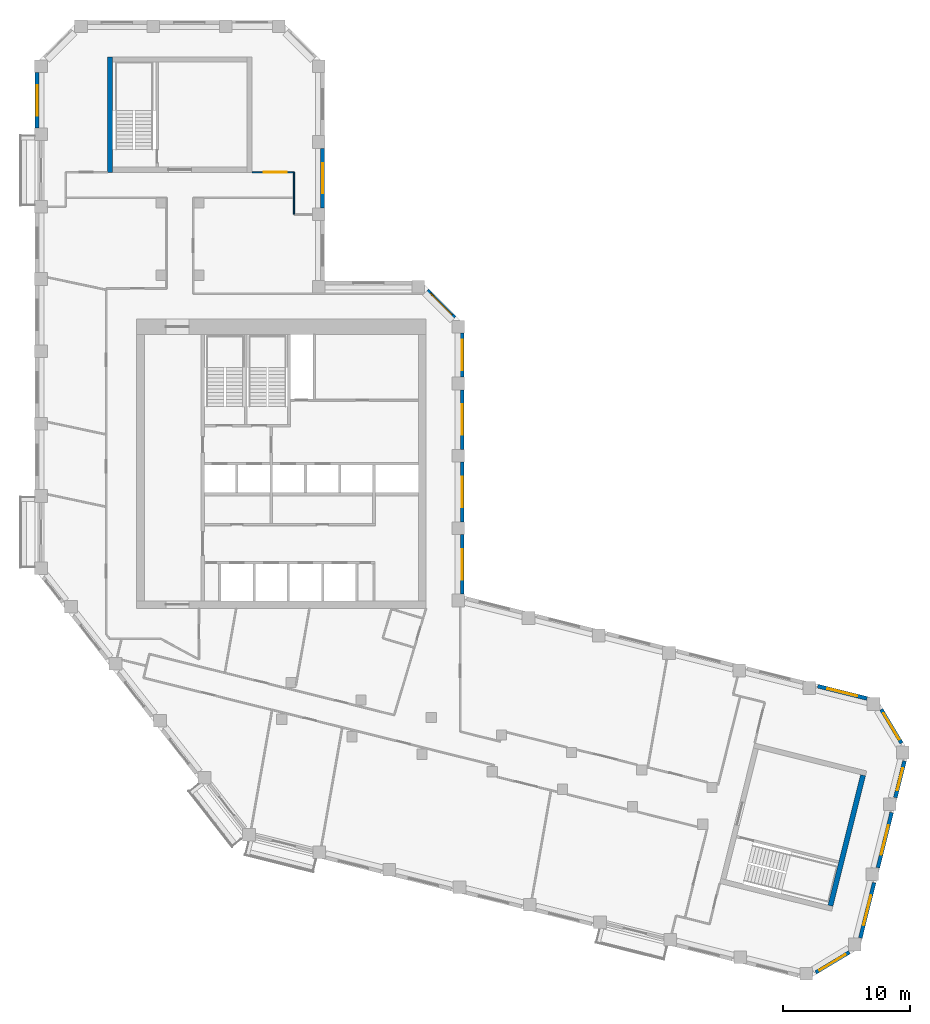
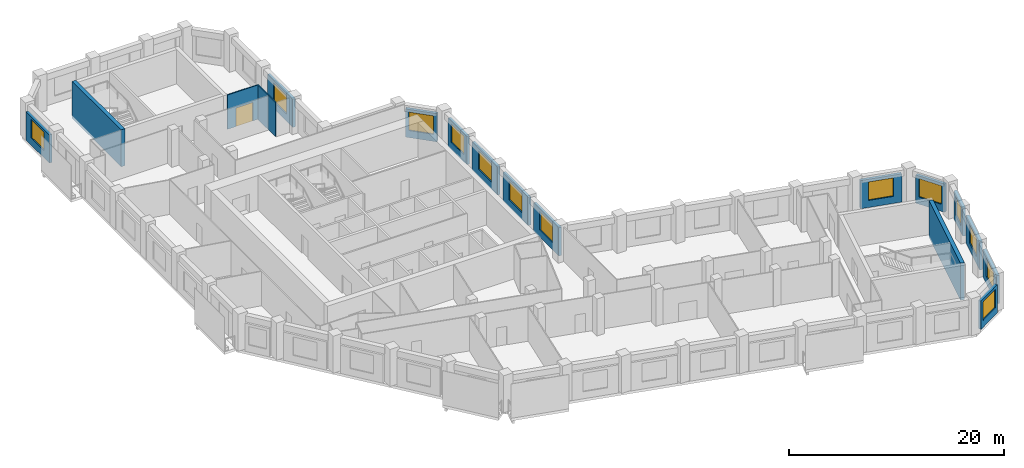
# One storey, part 7 of 9: 18 walls, 13 windows, 1 door, 14 openings.
"""IFC4 building model written with IfcOpenShell, lengths in metres."""

from ifc_helpers import new_model, si_unit, direction, frame, frame_2d, origin, place, context, subcontext, project, spatial, rectangle, extrude, material, layer, layer_set, type_object, element, fill, save


model = new_model("IFC4")

# Units and contexts
model_context = context("Model", 3, precision=1e-05, world=origin(), true_north=direction((0.0, 1.0)))
body_context = subcontext(model_context, "Body", "Model", "MODEL_VIEW")
ifc_project = project(units=[si_unit("LENGTHUNIT", "METRE"), si_unit("AREAUNIT", "SQUARE_METRE"), si_unit("VOLUMEUNIT", "CUBIC_METRE"), si_unit("PLANEANGLEUNIT", "RADIAN"), si_unit("MASSUNIT", "GRAM", prefix="KILO")], contexts=[model_context])

# Site, building, storey
site_placement = place(None, origin())
site = spatial("IfcSite", under=ifc_project, at=site_placement, CompositionType="ELEMENT")
building_placement = place(site_placement, origin())
building = spatial("IfcBuilding", under=site, at=building_placement, Name="Meshkara Civic Tower", CompositionType="ELEMENT")
storey_placement = place(building_placement, frame((0.0, 0.0, 294.0)))
storey = spatial("IfcBuildingStorey", under=building, at=storey_placement, Name="L67", CompositionType="ELEMENT", Elevation=294.0)

# Wall
ifc_material_1 = material(Name="Corridor wall 100")
ifc_layer_1 = layer(ifc_material_1, 0.10009765625)
ifc_layer_set_1 = layer_set([ifc_layer_1], Name="Corridor wall 100")
wall_type_1 = type_object("IfcWallType", Name="Corridor wall 100", PredefinedType="PARTITIONING", material=ifc_layer_set_1)
wall_1_placement = place(storey_placement, frame((20.39990234375, 46.469970703125, 0.0), z_axis=(0.0, 0.0, 1.0), x_axis=(0.0, 1.0, 0.0)))
element("IfcWall", 1, at=wall_1_placement, inside=storey, type_object=wall_type_1, Name="L67-W016", PredefinedType="PARTITIONING", context=body_context, shape_type="SweptSolid", body=[
    extrude(rectangle(XDim=2.0, YDim=0.10009765625, at=frame_2d((1.0, 0.0))), origin(), (0.0, 0.0, 1.0), 3.89990234375),
])

# Wall, opening, door
wall_2_placement = place(storey_placement, frame((20.39990234375, 48.469970703125, 0.0), z_axis=(0.0, 0.0, 1.0), x_axis=(-1.0, 0.0, 0.0)))
wall_2 = element("IfcWall", 2, at=wall_2_placement, inside=storey, type_object=wall_type_1, Name="L67-W017", PredefinedType="PARTITIONING", context=body_context, shape_type="SweptSolid", body=[
    extrude(rectangle(XDim=3.2998046875, YDim=0.10009765625, at=frame_2d((1.64990234375, 0.0))), origin(), (0.0, 0.0, 1.0), 3.89990234375),
])
opening_1_placement = place(wall_2_placement, frame((0.580078125, 0.0, 0.0)))
opening_1 = element("IfcOpeningElement", 3, at=opening_1_placement, cuts=wall_2, Name="Opening L67-D021", PredefinedType="OPENING", context=body_context, shape_type="SweptSolid", body=[
    extrude(rectangle(XDim=1.800048828125, YDim=2.10009765625, at=frame_2d((0.89990234375, 1.050048828125))), frame((0.0, 0.06005859375, 0.0), z_axis=(0.0, -1.0, 0.0), x_axis=(1.0, 0.0, 0.0)), (0.0, 0.0, 1.0), 0.1201171875),
])
ifc_material_2 = material(Name="Door pair 1800 x 2100")
door_type = type_object("IfcDoorType", Name="Door pair 1800 x 2100", OperationType="SINGLE_SWING_LEFT", PredefinedType="DOOR", material=ifc_material_2)
door_placement = place(opening_1_placement, origin())
door = element("IfcDoor", 4, at=door_placement, inside=storey, type_object=door_type, Name="L67-D021", OperationType="DOUBLE_DOOR_SINGLE_SWING", OverallHeight=2.10009765625, OverallWidth=1.800048828125, PredefinedType="DOOR", context=body_context, shape_type="SweptSolid", body=[
    extrude(rectangle(XDim=1.800048828125, YDim=2.10009765625, at=frame_2d((0.89990234375, 1.050048828125))), frame((0.0, 0.02490234375, 0.0), z_axis=(0.0, -1.0, 0.0), x_axis=(1.0, 0.0, 0.0)), (0.0, 0.0, 1.0), 0.050048828125),
])
fill(opening_1, door)

# Wall, opening, window
ifc_material_3 = material(Name="Insulated infill panel with bronze anodised aluminium cladding", Category="aluminium")
ifc_layer_2 = layer(ifc_material_3, 0.300048828125)
ifc_layer_set_2 = layer_set([ifc_layer_2], Name="EXTERNAL INFILL WALL 300")
wall_type_2 = type_object("IfcWallType", Name="EXTERNAL INFILL WALL 300", PredefinedType="SOLIDWALL", material=ifc_layer_set_2)
wall_3_placement = place(storey_placement, frame((65.548095703125, 7.0, 0.0), z_axis=(0.0, 0.0, 1.0), x_axis=(-0.970260773365, 0.242062040951, 0.0)))
wall_3 = element("IfcWall", 5, at=wall_3_placement, inside=storey, type_object=wall_type_2, Name="External wall", PredefinedType="SOLIDWALL", context=body_context, shape_type="SweptSolid", body=[
    extrude(rectangle(XDim=4.003173828125, YDim=0.300048828125, at=frame_2d((2.00146484375, 0.0))), origin(), (0.0, 0.0, 1.0), 3.199951171875),
])
opening_2_placement = place(wall_3_placement, frame((0.801025390625, 0.0, 0.800048828125)))
opening_2 = element("IfcOpeningElement", 6, at=opening_2_placement, cuts=wall_3, Name="Opening W7", PredefinedType="OPENING", context=body_context, shape_type="SweptSolid", body=[
    extrude(rectangle(XDim=2.39990234375, YDim=2.10009765625, at=frame_2d((1.199951171875, 1.050048828125))), frame((0.0, 0.159912109375, 0.0), z_axis=(0.0, -1.0, 0.0), x_axis=(1.0, 0.0, 0.0)), (0.0, 0.0, 1.0), 0.320068359375),
])
ifc_material_4 = material(Name="Tinted double glazing", Category="glass")
window_type_1 = type_object("IfcWindowType", Name="WINDOW 2400x2100", PartitioningType="DOUBLE_PANEL_VERTICAL", PredefinedType="WINDOW", material=ifc_material_4)
window_1_placement = place(opening_2_placement, origin())
window_1 = element("IfcWindow", 7, at=window_1_placement, inside=storey, type_object=window_type_1, Name="Window", OverallHeight=2.10009765625, OverallWidth=2.39990234375, PartitioningType="DOUBLE_PANEL_VERTICAL", PredefinedType="WINDOW", context=body_context, shape_type="SweptSolid", body=[
    extrude(rectangle(XDim=2.39990234375, YDim=2.10009765625, at=frame_2d((1.199951171875, 1.050048828125))), frame((0.0, 0.030029296875, 0.0), z_axis=(0.0, -1.0, 0.0), x_axis=(1.0, 0.0, 0.0)), (0.0, 0.0, 1.0), 0.06005859375),
])
fill(opening_2, window_1)

wall_4_placement = place(storey_placement, frame((33.64990234375, 15.218994140625, 0.0), z_axis=(0.0, 0.0, 1.0), x_axis=(0.0, 1.0, 0.0)))
wall_4 = element("IfcWall", 8, at=wall_4_placement, inside=storey, type_object=wall_type_2, Name="External wall", PredefinedType="SOLIDWALL", context=body_context, shape_type="SweptSolid", body=[
    extrude(rectangle(XDim=4.699951171875, YDim=0.300048828125, at=frame_2d((2.35009765625, 0.0))), origin(), (0.0, 0.0, 1.0), 3.199951171875),
])
opening_3_placement = place(wall_4_placement, frame((1.14990234375, 0.0, 0.800048828125)))
opening_3 = element("IfcOpeningElement", 9, at=opening_3_placement, cuts=wall_4, Name="Opening W7", PredefinedType="OPENING", context=body_context, shape_type="SweptSolid", body=[
    extrude(rectangle(XDim=2.39990234375, YDim=2.10009765625, at=frame_2d((1.199951171875, 1.050048828125))), frame((0.0, 0.159912109375, 0.0), z_axis=(0.0, -1.0, 0.0), x_axis=(1.0, 0.0, 0.0)), (0.0, 0.0, 1.0), 0.320068359375),
])
window_2_placement = place(opening_3_placement, origin())
window_2 = element("IfcWindow", 10, at=window_2_placement, inside=storey, type_object=window_type_1, Name="Window", OverallHeight=2.10009765625, OverallWidth=2.39990234375, PartitioningType="DOUBLE_PANEL_VERTICAL", PredefinedType="WINDOW", context=body_context, shape_type="SweptSolid", body=[
    extrude(rectangle(XDim=2.39990234375, YDim=2.10009765625, at=frame_2d((1.199951171875, 1.050048828125))), frame((0.0, 0.030029296875, 0.0), z_axis=(0.0, -1.0, 0.0), x_axis=(1.0, 0.0, 0.0)), (0.0, 0.0, 1.0), 0.06005859375),
])
fill(opening_3, window_2)

wall_5_placement = place(storey_placement, frame((33.64990234375, 20.9189453125, 0.0), z_axis=(0.0, 0.0, 1.0), x_axis=(0.0, 1.0, 0.0)))
wall_5 = element("IfcWall", 11, at=wall_5_placement, inside=storey, type_object=wall_type_2, Name="External wall", PredefinedType="SOLIDWALL", context=body_context, shape_type="SweptSolid", body=[
    extrude(rectangle(XDim=4.699951171875, YDim=0.300048828125, at=frame_2d((2.35009765625, 0.0))), origin(), (0.0, 0.0, 1.0), 3.199951171875),
])
opening_4_placement = place(wall_5_placement, frame((1.14990234375, 0.0, 0.800048828125)))
opening_4 = element("IfcOpeningElement", 12, at=opening_4_placement, cuts=wall_5, Name="Opening W7", PredefinedType="OPENING", context=body_context, shape_type="SweptSolid", body=[
    extrude(rectangle(XDim=2.39990234375, YDim=2.10009765625, at=frame_2d((1.199951171875, 1.050048828125))), frame((0.0, 0.159912109375, 0.0), z_axis=(0.0, -1.0, 0.0), x_axis=(1.0, 0.0, 0.0)), (0.0, 0.0, 1.0), 0.320068359375),
])
window_3_placement = place(opening_4_placement, origin())
window_3 = element("IfcWindow", 13, at=window_3_placement, inside=storey, type_object=window_type_1, Name="Window", OverallHeight=2.10009765625, OverallWidth=2.39990234375, PartitioningType="DOUBLE_PANEL_VERTICAL", PredefinedType="WINDOW", context=body_context, shape_type="SweptSolid", body=[
    extrude(rectangle(XDim=2.39990234375, YDim=2.10009765625, at=frame_2d((1.199951171875, 1.050048828125))), frame((0.0, 0.030029296875, 0.0), z_axis=(0.0, -1.0, 0.0), x_axis=(1.0, 0.0, 0.0)), (0.0, 0.0, 1.0), 0.06005859375),
])
fill(opening_4, window_3)

wall_6_placement = place(storey_placement, frame((33.64990234375, 26.618896484375, 0.0), z_axis=(0.0, 0.0, 1.0), x_axis=(0.0, 1.0, 0.0)))
wall_6 = element("IfcWall", 14, at=wall_6_placement, inside=storey, type_object=wall_type_2, Name="External wall", PredefinedType="SOLIDWALL", context=body_context, shape_type="SweptSolid", body=[
    extrude(rectangle(XDim=4.7001953125, YDim=0.300048828125, at=frame_2d((2.35009765625, 0.0))), origin(), (0.0, 0.0, 1.0), 3.199951171875),
])
opening_5_placement = place(wall_6_placement, frame((1.14990234375, 0.0, 0.800048828125)))
opening_5 = element("IfcOpeningElement", 15, at=opening_5_placement, cuts=wall_6, Name="Opening W7", PredefinedType="OPENING", context=body_context, shape_type="SweptSolid", body=[
    extrude(rectangle(XDim=2.39990234375, YDim=2.10009765625, at=frame_2d((1.199951171875, 1.050048828125))), frame((0.0, 0.159912109375, 0.0), z_axis=(0.0, -1.0, 0.0), x_axis=(1.0, 0.0, 0.0)), (0.0, 0.0, 1.0), 0.320068359375),
])
window_4_placement = place(opening_5_placement, origin())
window_4 = element("IfcWindow", 16, at=window_4_placement, inside=storey, type_object=window_type_1, Name="Window", OverallHeight=2.10009765625, OverallWidth=2.39990234375, PartitioningType="DOUBLE_PANEL_VERTICAL", PredefinedType="WINDOW", context=body_context, shape_type="SweptSolid", body=[
    extrude(rectangle(XDim=2.39990234375, YDim=2.10009765625, at=frame_2d((1.199951171875, 1.050048828125))), frame((0.0, 0.030029296875, 0.0), z_axis=(0.0, -1.0, 0.0), x_axis=(1.0, 0.0, 0.0)), (0.0, 0.0, 1.0), 0.06005859375),
])
fill(opening_5, window_4)

wall_7_placement = place(storey_placement, frame((33.64990234375, 32.319091796875, 0.0), z_axis=(0.0, 0.0, 1.0), x_axis=(0.0, 1.0, 0.0)))
wall_7 = element("IfcWall", 17, at=wall_7_placement, inside=storey, type_object=wall_type_2, Name="External wall", PredefinedType="SOLIDWALL", context=body_context, shape_type="SweptSolid", body=[
    extrude(rectangle(XDim=3.474853515625, YDim=0.300048828125, at=frame_2d((1.7373046875, 0.0))), origin(), (0.0, 0.0, 1.0), 3.199951171875),
])
opening_6_placement = place(wall_7_placement, frame((0.5380859375, 0.0, 0.800048828125)))
opening_6 = element("IfcOpeningElement", 18, at=opening_6_placement, cuts=wall_7, Name="Opening W7", PredefinedType="OPENING", context=body_context, shape_type="SweptSolid", body=[
    extrude(rectangle(XDim=2.39990234375, YDim=2.10009765625, at=frame_2d((1.199951171875, 1.050048828125))), frame((0.0, 0.159912109375, 0.0), z_axis=(0.0, -1.0, 0.0), x_axis=(1.0, 0.0, 0.0)), (0.0, 0.0, 1.0), 0.320068359375),
])
window_5_placement = place(opening_6_placement, origin())
window_5 = element("IfcWindow", 19, at=window_5_placement, inside=storey, type_object=window_type_1, Name="Window", OverallHeight=2.10009765625, OverallWidth=2.39990234375, PartitioningType="DOUBLE_PANEL_VERTICAL", PredefinedType="WINDOW", context=body_context, shape_type="SweptSolid", body=[
    extrude(rectangle(XDim=2.39990234375, YDim=2.10009765625, at=frame_2d((1.199951171875, 1.050048828125))), frame((0.0, 0.030029296875, 0.0), z_axis=(0.0, -1.0, 0.0), x_axis=(1.0, 0.0, 0.0)), (0.0, 0.0, 1.0), 0.06005859375),
])
fill(opening_6, window_5)

wall_8_placement = place(storey_placement, frame((33.06201171875, 37.006103515625, 0.0), z_axis=(0.0, 0.0, 1.0), x_axis=(-0.707106781187, 0.707106781187, 0.0)))
wall_8 = element("IfcWall", 20, at=wall_8_placement, inside=storey, type_object=wall_type_2, Name="External wall", PredefinedType="SOLIDWALL", context=body_context, shape_type="SweptSolid", body=[
    extrude(rectangle(XDim=3.049072265625, YDim=0.300048828125, at=frame_2d((1.5244140625, 0.0))), origin(), (0.0, 0.0, 1.0), 3.199951171875),
])
opening_7_placement = place(wall_8_placement, frame((0.324951171875, 0.0, 0.800048828125)))
opening_7 = element("IfcOpeningElement", 21, at=opening_7_placement, cuts=wall_8, Name="Opening W7", PredefinedType="OPENING", context=body_context, shape_type="SweptSolid", body=[
    extrude(rectangle(XDim=2.39990234375, YDim=2.10009765625, at=frame_2d((1.199951171875, 1.050048828125))), frame((0.0, 0.159912109375, 0.0), z_axis=(0.0, -1.0, 0.0), x_axis=(1.0, 0.0, 0.0)), (0.0, 0.0, 1.0), 0.320068359375),
])
window_6_placement = place(opening_7_placement, origin())
window_6 = element("IfcWindow", 22, at=window_6_placement, inside=storey, type_object=window_type_1, Name="Window", OverallHeight=2.10009765625, OverallWidth=2.39990234375, PartitioningType="DOUBLE_PANEL_VERTICAL", PredefinedType="WINDOW", context=body_context, shape_type="SweptSolid", body=[
    extrude(rectangle(XDim=2.39990234375, YDim=2.10009765625, at=frame_2d((1.199951171875, 1.050048828125))), frame((0.0, 0.030029296875, 0.0), z_axis=(0.0, -1.0, 0.0), x_axis=(1.0, 0.0, 0.0)), (0.0, 0.0, 1.0), 0.06005859375),
])
fill(opening_7, window_6)

wall_9_placement = place(storey_placement, frame((22.64990234375, 45.64990234375, 0.0), z_axis=(0.0, 0.0, 1.0), x_axis=(0.0, 1.0, 0.0)))
wall_9 = element("IfcWall", 23, at=wall_9_placement, inside=storey, type_object=wall_type_2, Name="External wall", PredefinedType="SOLIDWALL", context=body_context, shape_type="SweptSolid", body=[
    extrude(rectangle(XDim=4.7001953125, YDim=0.300048828125, at=frame_2d((2.35009765625, 0.0))), origin(), (0.0, 0.0, 1.0), 3.199951171875),
])
opening_8_placement = place(wall_9_placement, frame((1.14990234375, 0.0, 0.800048828125)))
opening_8 = element("IfcOpeningElement", 24, at=opening_8_placement, cuts=wall_9, Name="Opening W7", PredefinedType="OPENING", context=body_context, shape_type="SweptSolid", body=[
    extrude(rectangle(XDim=2.39990234375, YDim=2.10009765625, at=frame_2d((1.199951171875, 1.050048828125))), frame((0.0, 0.159912109375, 0.0), z_axis=(0.0, -1.0, 0.0), x_axis=(1.0, 0.0, 0.0)), (0.0, 0.0, 1.0), 0.320068359375),
])
window_7_placement = place(opening_8_placement, origin())
window_7 = element("IfcWindow", 25, at=window_7_placement, inside=storey, type_object=window_type_1, Name="Window", OverallHeight=2.10009765625, OverallWidth=2.39990234375, PartitioningType="DOUBLE_PANEL_VERTICAL", PredefinedType="WINDOW", context=body_context, shape_type="SweptSolid", body=[
    extrude(rectangle(XDim=2.39990234375, YDim=2.10009765625, at=frame_2d((1.199951171875, 1.050048828125))), frame((0.0, 0.030029296875, 0.0), z_axis=(0.0, -1.0, 0.0), x_axis=(1.0, 0.0, 0.0)), (0.0, 0.0, 1.0), 0.06005859375),
])
fill(opening_8, window_7)

wall_10_placement = place(storey_placement, frame((0.14990234375, 56.31396484375, 0.0), z_axis=(0.0, 0.0, 1.0), x_axis=(0.0, -1.0, 0.0)))
wall_10 = element("IfcWall", 26, at=wall_10_placement, inside=storey, type_object=wall_type_2, Name="External wall", PredefinedType="SOLIDWALL", context=body_context, shape_type="SweptSolid", body=[
    extrude(rectangle(XDim=4.35888671875, YDim=0.300048828125, at=frame_2d((2.179443359375, 0.0))), origin(), (0.0, 0.0, 1.0), 3.199951171875),
])
opening_9_placement = place(wall_10_placement, frame((0.97998046875, 0.0, 0.800048828125)))
opening_9 = element("IfcOpeningElement", 27, at=opening_9_placement, cuts=wall_10, Name="Opening W7", PredefinedType="OPENING", context=body_context, shape_type="SweptSolid", body=[
    extrude(rectangle(XDim=2.39990234375, YDim=2.10009765625, at=frame_2d((1.199951171875, 1.050048828125))), frame((0.0, 0.159912109375, 0.0), z_axis=(0.0, -1.0, 0.0), x_axis=(1.0, 0.0, 0.0)), (0.0, 0.0, 1.0), 0.320068359375),
])
window_8_placement = place(opening_9_placement, origin())
window_8 = element("IfcWindow", 28, at=window_8_placement, inside=storey, type_object=window_type_1, Name="Window", OverallHeight=2.10009765625, OverallWidth=2.39990234375, PartitioningType="DOUBLE_PANEL_VERTICAL", PredefinedType="WINDOW", context=body_context, shape_type="SweptSolid", body=[
    extrude(rectangle(XDim=2.39990234375, YDim=2.10009765625, at=frame_2d((1.199951171875, 1.050048828125))), frame((0.0, 0.030029296875, 0.0), z_axis=(0.0, -1.0, 0.0), x_axis=(1.0, 0.0, 0.0)), (0.0, 0.0, 1.0), 0.06005859375),
])
fill(opening_9, window_8)

wall_11_placement = place(storey_placement, frame((61.509033203125, -14.591064453125, 0.0), z_axis=(0.0, 0.0, 1.0), x_axis=(0.856969799001, 0.515366630275, 0.0)))
wall_11 = element("IfcWall", 29, at=wall_11_placement, inside=storey, type_object=wall_type_2, Name="External wall", PredefinedType="SOLIDWALL", context=body_context, shape_type="SweptSolid", body=[
    extrude(rectangle(XDim=3.091064453125, YDim=0.300048828125, at=frame_2d((1.54541015625, 0.0))), origin(), (0.0, 0.0, 1.0), 3.199951171875),
])
opening_10_placement = place(wall_11_placement, frame((0.344970703125, 0.0, 0.800048828125)))
opening_10 = element("IfcOpeningElement", 30, at=opening_10_placement, cuts=wall_11, Name="Opening W7", PredefinedType="OPENING", context=body_context, shape_type="SweptSolid", body=[
    extrude(rectangle(XDim=2.39990234375, YDim=2.10009765625, at=frame_2d((1.199951171875, 1.050048828125))), frame((0.0, 0.159912109375, 0.0), z_axis=(0.0, -1.0, 0.0), x_axis=(1.0, 0.0, 0.0)), (0.0, 0.0, 1.0), 0.320068359375),
])
window_9_placement = place(opening_10_placement, origin())
window_9 = element("IfcWindow", 31, at=window_9_placement, inside=storey, type_object=window_type_1, Name="Window", OverallHeight=2.10009765625, OverallWidth=2.39990234375, PartitioningType="DOUBLE_PANEL_VERTICAL", PredefinedType="WINDOW", context=body_context, shape_type="SweptSolid", body=[
    extrude(rectangle(XDim=2.39990234375, YDim=2.10009765625, at=frame_2d((1.199951171875, 1.050048828125))), frame((0.0, 0.030029296875, 0.0), z_axis=(0.0, -1.0, 0.0), x_axis=(1.0, 0.0, 0.0)), (0.0, 0.0, 1.0), 0.06005859375),
])
fill(opening_10, window_9)

wall_12_placement = place(storey_placement, frame((65.029052734375, -11.8720703125, 0.0), z_axis=(0.0, 0.0, 1.0), x_axis=(0.241946839653, 0.970289506684, 0.0)))
wall_12 = element("IfcWall", 32, at=wall_12_placement, inside=storey, type_object=wall_type_2, Name="External wall", PredefinedType="SOLIDWALL", context=body_context, shape_type="SweptSolid", body=[
    extrude(rectangle(XDim=4.48828125, YDim=0.300048828125, at=frame_2d((2.244140625, 0.0))), origin(), (0.0, 0.0, 1.0), 3.199951171875),
])
opening_11_placement = place(wall_12_placement, frame((1.0439453125, 0.0, 0.800048828125)))
opening_11 = element("IfcOpeningElement", 33, at=opening_11_placement, cuts=wall_12, Name="Opening W7", PredefinedType="OPENING", context=body_context, shape_type="SweptSolid", body=[
    extrude(rectangle(XDim=2.39990234375, YDim=2.10009765625, at=frame_2d((1.199951171875, 1.050048828125))), frame((0.0, 0.159912109375, 0.0), z_axis=(0.0, -1.0, 0.0), x_axis=(1.0, 0.0, 0.0)), (0.0, 0.0, 1.0), 0.320068359375),
])
window_10_placement = place(opening_11_placement, origin())
window_10 = element("IfcWindow", 34, at=window_10_placement, inside=storey, type_object=window_type_1, Name="Window", OverallHeight=2.10009765625, OverallWidth=2.39990234375, PartitioningType="DOUBLE_PANEL_VERTICAL", PredefinedType="WINDOW", context=body_context, shape_type="SweptSolid", body=[
    extrude(rectangle(XDim=2.39990234375, YDim=2.10009765625, at=frame_2d((1.199951171875, 1.050048828125))), frame((0.0, 0.030029296875, 0.0), z_axis=(0.0, -1.0, 0.0), x_axis=(1.0, 0.0, 0.0)), (0.0, 0.0, 1.0), 0.06005859375),
])
fill(opening_11, window_10)

wall_13_placement = place(storey_placement, frame((66.407958984375, -6.341064453125, 0.0), z_axis=(0.0, 0.0, 1.0), x_axis=(0.241997928406, 0.970276766004, 0.0)))
wall_13 = element("IfcWall", 35, at=wall_13_placement, inside=storey, type_object=wall_type_2, Name="External wall", PredefinedType="SOLIDWALL", context=body_context, shape_type="SweptSolid", body=[
    extrude(rectangle(XDim=4.4873046875, YDim=0.300048828125, at=frame_2d((2.24365234375, 0.0))), origin(), (0.0, 0.0, 1.0), 3.199951171875),
])
opening_12_placement = place(wall_13_placement, frame((1.0439453125, 0.0, 0.800048828125)))
opening_12 = element("IfcOpeningElement", 36, at=opening_12_placement, cuts=wall_13, Name="Opening W7", PredefinedType="OPENING", context=body_context, shape_type="SweptSolid", body=[
    extrude(rectangle(XDim=2.39990234375, YDim=2.10009765625, at=frame_2d((1.199951171875, 1.050048828125))), frame((0.0, 0.159912109375, 0.0), z_axis=(0.0, -1.0, 0.0), x_axis=(1.0, 0.0, 0.0)), (0.0, 0.0, 1.0), 0.320068359375),
])
window_11_placement = place(opening_12_placement, origin())
window_11 = element("IfcWindow", 37, at=window_11_placement, inside=storey, type_object=window_type_1, Name="Window", OverallHeight=2.10009765625, OverallWidth=2.39990234375, PartitioningType="DOUBLE_PANEL_VERTICAL", PredefinedType="WINDOW", context=body_context, shape_type="SweptSolid", body=[
    extrude(rectangle(XDim=2.39990234375, YDim=2.10009765625, at=frame_2d((1.199951171875, 1.050048828125))), frame((0.0, 0.030029296875, 0.0), z_axis=(0.0, -1.0, 0.0), x_axis=(1.0, 0.0, 0.0)), (0.0, 0.0, 1.0), 0.06005859375),
])
fill(opening_12, window_11)

wall_14_placement = place(storey_placement, frame((67.787109375, -0.81103515625, 0.0), z_axis=(0.0, 0.0, 1.0), x_axis=(0.242052773757, 0.970263085311, 0.0)))
wall_14 = element("IfcWall", 38, at=wall_14_placement, inside=storey, type_object=wall_type_2, Name="External wall", PredefinedType="SOLIDWALL", context=body_context, shape_type="SweptSolid", body=[
    extrude(rectangle(XDim=2.974365234375, YDim=0.300048828125, at=frame_2d((1.4873046875, 0.0))), origin(), (0.0, 0.0, 1.0), 3.199951171875),
])
opening_13_placement = place(wall_14_placement, frame((0.5869140625, 0.0, 0.800048828125)))
opening_13 = element("IfcOpeningElement", 39, at=opening_13_placement, cuts=wall_14, Name="Opening W9", PredefinedType="OPENING", context=body_context, shape_type="SweptSolid", body=[
    extrude(rectangle(XDim=1.800048828125, YDim=2.10009765625, at=frame_2d((0.89990234375, 1.050048828125))), frame((0.0, 0.159912109375, 0.0), z_axis=(0.0, -1.0, 0.0), x_axis=(1.0, 0.0, 0.0)), (0.0, 0.0, 1.0), 0.320068359375),
])
ifc_material_5 = material(Name="Tinted double glazing", Category="glass")
window_type_2 = type_object("IfcWindowType", Name="WINDOW 1800x2100", PartitioningType="DOUBLE_PANEL_VERTICAL", PredefinedType="WINDOW", material=ifc_material_5)
window_12_placement = place(opening_13_placement, origin())
window_12 = element("IfcWindow", 40, at=window_12_placement, inside=storey, type_object=window_type_2, Name="Window", OverallHeight=2.10009765625, OverallWidth=1.800048828125, PartitioningType="DOUBLE_PANEL_VERTICAL", PredefinedType="WINDOW", context=body_context, shape_type="SweptSolid", body=[
    extrude(rectangle(XDim=1.800048828125, YDim=2.10009765625, at=frame_2d((0.89990234375, 1.050048828125))), frame((0.0, 0.030029296875, 0.0), z_axis=(0.0, -1.0, 0.0), x_axis=(1.0, 0.0, 0.0)), (0.0, 0.0, 1.0), 0.06005859375),
])
fill(opening_13, window_12)

wall_15_placement = place(storey_placement, frame((68.26611328125, 3.47900390625, 0.0), z_axis=(0.0, 0.0, 1.0), x_axis=(-0.514995068029, 0.857193140375, 0.0)))
wall_15 = element("IfcWall", 41, at=wall_15_placement, inside=storey, type_object=wall_type_2, Name="External wall", PredefinedType="SOLIDWALL", context=body_context, shape_type="SweptSolid", body=[
    extrude(rectangle(XDim=3.09130859375, YDim=0.300048828125, at=frame_2d((1.545654296875, 0.0))), origin(), (0.0, 0.0, 1.0), 3.199951171875),
])
opening_14_placement = place(wall_15_placement, frame((0.345947265625, 0.0, 0.800048828125)))
opening_14 = element("IfcOpeningElement", 42, at=opening_14_placement, cuts=wall_15, Name="Opening W7", PredefinedType="OPENING", context=body_context, shape_type="SweptSolid", body=[
    extrude(rectangle(XDim=2.39990234375, YDim=2.10009765625, at=frame_2d((1.199951171875, 1.050048828125))), frame((0.0, 0.159912109375, 0.0), z_axis=(0.0, -1.0, 0.0), x_axis=(1.0, 0.0, 0.0)), (0.0, 0.0, 1.0), 0.320068359375),
])
window_13_placement = place(opening_14_placement, origin())
window_13 = element("IfcWindow", 43, at=window_13_placement, inside=storey, type_object=window_type_1, Name="Window", OverallHeight=2.10009765625, OverallWidth=2.39990234375, PartitioningType="DOUBLE_PANEL_VERTICAL", PredefinedType="WINDOW", context=body_context, shape_type="SweptSolid", body=[
    extrude(rectangle(XDim=2.39990234375, YDim=2.10009765625, at=frame_2d((1.199951171875, 1.050048828125))), frame((0.0, 0.030029296875, 0.0), z_axis=(0.0, -1.0, 0.0), x_axis=(1.0, 0.0, 0.0)), (0.0, 0.0, 1.0), 0.06005859375),
])
fill(opening_14, window_13)

# Walls
ifc_material_6 = material(Name="Concrete C60", Category="concrete")
ifc_layer_3 = layer(ifc_material_6, 0.39990234375)
ifc_layer_set_3 = layer_set([ifc_layer_3], Name="End core ring wall 400 C60")
wall_type_3 = type_object("IfcWallType", Name="End core ring wall 400 C60", PredefinedType="SHEAR", material=ifc_layer_set_3)
wall_16_placement = place(storey_placement, frame((5.89990234375, 48.469970703125, -0.300048828125), z_axis=(0.0, 0.0, 1.0), x_axis=(0.0, 1.0, 0.0)))
element("IfcWall", 44, at=wall_16_placement, inside=storey, type_object=wall_type_3, Name="L67-C026", PredefinedType="SHEAR", context=body_context, shape_type="SweptSolid", body=[
    extrude(rectangle(XDim=9.10009765625, YDim=0.39990234375, at=frame_2d((4.550048828125, 0.0))), origin(), (0.0, 0.0, 1.0), 4.199951171875),
])
wall_17_placement = place(storey_placement, frame((62.672119140625, -9.339111328125, -0.300048828125), z_axis=(0.0, 0.0, 1.0), x_axis=(0.241971982666, 0.970283236795, 0.0)))
element("IfcWall", 45, at=wall_17_placement, inside=storey, type_object=wall_type_3, Name="L67-C034", PredefinedType="SHEAR", context=body_context, shape_type="SweptSolid", body=[
    extrude(rectangle(XDim=10.60009765625, YDim=0.39990234375, at=frame_2d((5.300048828125, 0.0))), origin(), (0.0, 0.0, 1.0), 4.199951171875),
])
ifc_material_7 = material(Name="Partition 100")
ifc_layer_4 = layer(ifc_material_7, 0.10009765625)
ifc_layer_set_4 = layer_set([ifc_layer_4], Name="Partition 100")
wall_type_4 = type_object("IfcWallType", Name="Partition 100", PredefinedType="PARTITIONING", material=ifc_layer_set_4)
wall_18_placement = place(storey_placement, frame((20.39990234375, 45.14990234375, 0.0), z_axis=(0.0, 0.0, 1.0), x_axis=(0.0, 1.0, 0.0)))
element("IfcWall", 46, at=wall_18_placement, inside=storey, type_object=wall_type_4, Name="L67-W043", PredefinedType="PARTITIONING", context=body_context, shape_type="SweptSolid", body=[
    extrude(rectangle(XDim=1.32421875, YDim=0.10009765625, at=frame_2d((0.662109375, 0.0))), origin(), (0.0, 0.0, 1.0), 3.89990234375),
])

save(model, "model.ifc")
